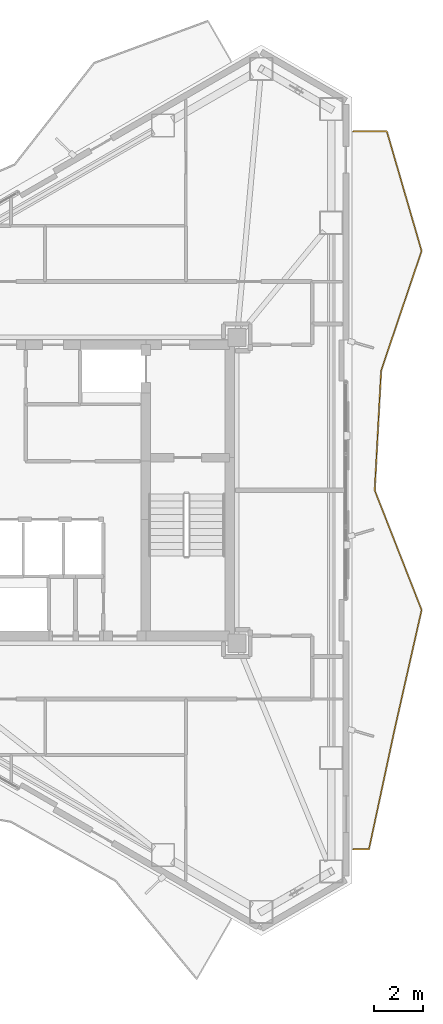
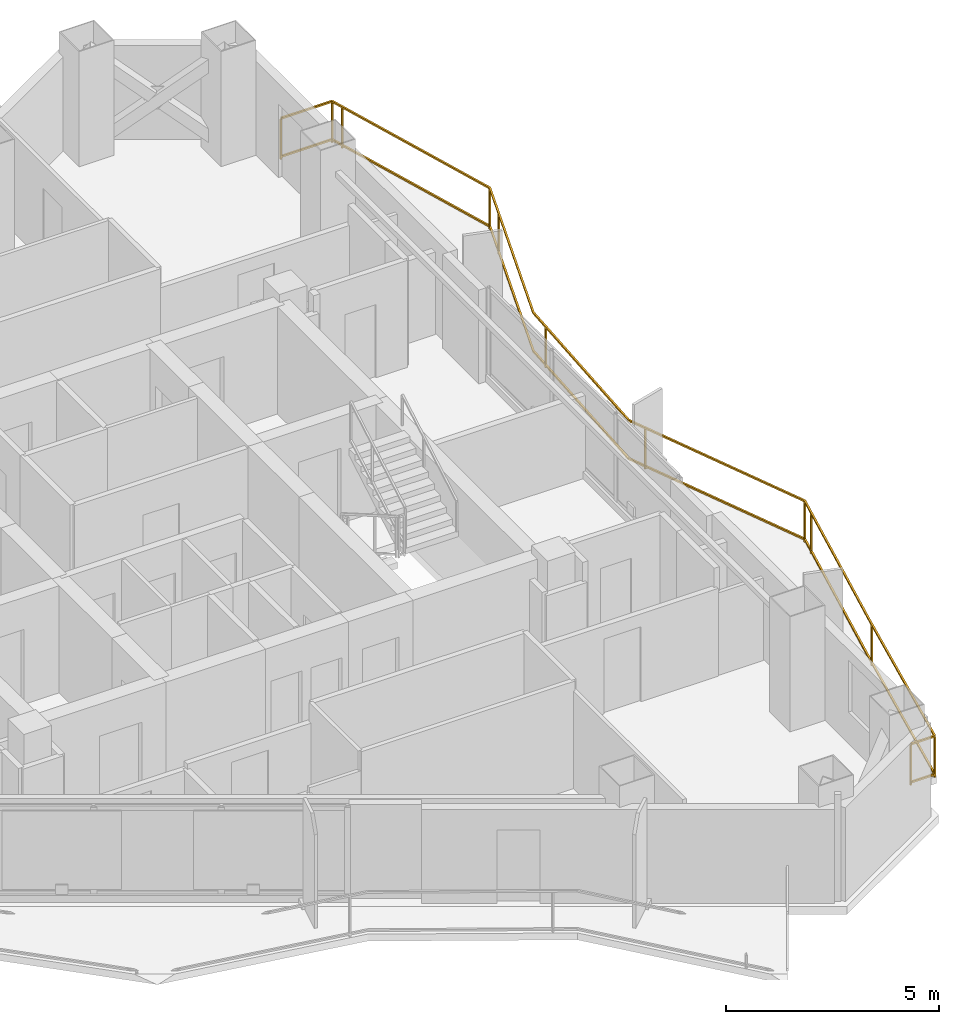
# One storey, part 22 of 22: 1 railing.
"""IFC4 building model written with IfcOpenShell, lengths in metres."""

from ifc_helpers import new_model, si_unit, direction, frame, origin, origin_2d, place, context, subcontext, project, spatial, rectangle, extrude, material, type_object, element, save


model = new_model("IFC4")

# Units and contexts
model_context = context("Model", 3, precision=1e-05, world=origin(), true_north=direction((0.0, 1.0)))
body_context = subcontext(model_context, "Body", "Model", "MODEL_VIEW")
ifc_project = project(units=[si_unit("LENGTHUNIT", "METRE"), si_unit("AREAUNIT", "SQUARE_METRE"), si_unit("VOLUMEUNIT", "CUBIC_METRE"), si_unit("PLANEANGLEUNIT", "RADIAN"), si_unit("MASSUNIT", "GRAM", prefix="KILO")], contexts=[model_context])

# Site, building, storey
site_placement = place(None, origin())
site = spatial("IfcSite", under=ifc_project, at=site_placement, CompositionType="ELEMENT")
building_placement = place(site_placement, origin())
building = spatial("IfcBuilding", under=site, at=building_placement, Name="Mersakhor Tower and Convention Hall", CompositionType="ELEMENT")
storey_placement = place(building_placement, frame((0.0, 0.0, 192.0)))
storey = spatial("IfcBuildingStorey", under=building, at=storey_placement, Name="L53", CompositionType="ELEMENT", Elevation=192.0)

# Railing
ifc_material = material(Name="Powder-coated galvanised steel and laminated glass balustrade", Category="steel")
railing_type = type_object("IfcRailingType", Name="RL-BAL-1200", PredefinedType="BALUSTRADE", material=ifc_material)
railing_placement = place(storey_placement, frame((40.888427734375, 11.957275390625, 0.0)))
element("IfcRailing", 1, at=railing_placement, inside=storey, type_object=railing_type, Name="L53 Sinusoidal Balcony Balustrade F2", PredefinedType="BALUSTRADE", context=body_context, shape_type="SweptSolid", body=[
    extrude(rectangle(XDim=0.048095703125, YDim=0.048095703125, at=origin_2d()), frame((0.0, 0.0, 1.17578125), z_axis=(1.0, 0.0, 0.0), x_axis=(0.0, 1.0, 0.0)), (0.0, 0.0, 1.0), 0.64990234375),
    extrude(rectangle(XDim=0.048095703125, YDim=0.048095703125, at=origin_2d()), frame((0.0, 0.0, 0.080078125), z_axis=(1.0, 0.0, 0.0), x_axis=(0.0, 1.0, 0.0)), (0.0, 0.0, 1.0), 0.64990234375),
    extrude(rectangle(XDim=0.048095703125, YDim=0.048095703125, at=origin_2d()), frame((0.64990234375, 0.0, 1.17578125), z_axis=(0.209393525591, 0.977831453493, 0.0), x_axis=(-0.977831453493, 0.209393525591, 0.0)), (0.0, 0.0, 1.0), 5.042724609375),
    extrude(rectangle(XDim=0.048095703125, YDim=0.048095703125, at=origin_2d()), frame((0.64990234375, 0.0, 0.080078125), z_axis=(0.209393525591, 0.977831453493, 0.0), x_axis=(-0.977831453493, 0.209393525591, 0.0)), (0.0, 0.0, 1.0), 5.042724609375),
    extrude(rectangle(XDim=0.048095703125, YDim=0.048095703125, at=origin_2d()), frame((1.705810546875, 4.930908203125, 1.17578125), z_axis=(0.220416511098, 0.975405844577, 0.0), x_axis=(-0.975405844577, 0.220416511098, 0.0)), (0.0, 0.0, 1.0), 5.05517578125),
    extrude(rectangle(XDim=0.048095703125, YDim=0.048095703125, at=origin_2d()), frame((1.705810546875, 4.930908203125, 0.080078125), z_axis=(0.220416511098, 0.975405844577, 0.0), x_axis=(-0.975405844577, 0.220416511098, 0.0)), (0.0, 0.0, 1.0), 5.05517578125),
    extrude(rectangle(XDim=0.048095703125, YDim=0.048095703125, at=origin_2d()), frame((2.820068359375, 9.86181640625, 1.17578125), z_axis=(-0.364872078921, 0.931057659882, 0.0), x_axis=(-0.931057659882, -0.364872078921, 0.0)), (0.0, 0.0, 1.0), 5.296142578125),
    extrude(rectangle(XDim=0.048095703125, YDim=0.048095703125, at=origin_2d()), frame((2.820068359375, 9.86181640625, 0.080078125), z_axis=(-0.364872078921, 0.931057659882, 0.0), x_axis=(-0.931057659882, -0.364872078921, 0.0)), (0.0, 0.0, 1.0), 5.296142578125),
    extrude(rectangle(XDim=0.048095703125, YDim=0.048095703125, at=origin_2d()), frame((0.8876953125, 14.792724609375, 1.17578125), z_axis=(0.053643499713, 0.998560150887, 0.0), x_axis=(-0.998560150887, 0.053643499713, 0.0)), (0.0, 0.0, 1.0), 4.93798828125),
    extrude(rectangle(XDim=0.048095703125, YDim=0.048095703125, at=origin_2d()), frame((0.8876953125, 14.792724609375, 0.080078125), z_axis=(0.053643499713, 0.998560150887, 0.0), x_axis=(-0.998560150887, 0.053643499713, 0.0)), (0.0, 0.0, 1.0), 4.93798828125),
    extrude(rectangle(XDim=0.048095703125, YDim=0.048095703125, at=origin_2d()), frame((1.152587890625, 19.7236328125, 1.17578125), z_axis=(0.320347554416, 0.947300081484, 0.0), x_axis=(-0.947300081484, 0.320347554416, 0.0)), (0.0, 0.0, 1.0), 5.205322265625),
    extrude(rectangle(XDim=0.048095703125, YDim=0.048095703125, at=origin_2d()), frame((1.152587890625, 19.7236328125, 0.080078125), z_axis=(0.320347554416, 0.947300081484, 0.0), x_axis=(-0.947300081484, 0.320347554416, 0.0)), (0.0, 0.0, 1.0), 5.205322265625),
    extrude(rectangle(XDim=0.048095703125, YDim=0.048095703125, at=origin_2d()), frame((2.820068359375, 24.654541015625, 1.17578125), z_axis=(-0.279132677438, 0.960252544067, 0.0), x_axis=(-0.960252544067, -0.279132677438, 0.0)), (0.0, 0.0, 1.0), 5.135009765625),
    extrude(rectangle(XDim=0.048095703125, YDim=0.048095703125, at=origin_2d()), frame((2.820068359375, 24.654541015625, 0.080078125), z_axis=(-0.279132677438, 0.960252544067, 0.0), x_axis=(-0.960252544067, -0.279132677438, 0.0)), (0.0, 0.0, 1.0), 5.135009765625),
    extrude(rectangle(XDim=0.048095703125, YDim=0.048095703125, at=origin_2d()), frame((1.38671875, 29.58544921875, 1.17578125), z_axis=(-1.0, 0.0, 0.0), x_axis=(0.0, -1.0, 0.0)), (0.0, 0.0, 1.0), 1.38671875),
    extrude(rectangle(XDim=0.048095703125, YDim=0.048095703125, at=origin_2d()), frame((1.38671875, 29.58544921875, 0.080078125), z_axis=(-1.0, 0.0, 0.0), x_axis=(0.0, -1.0, 0.0)), (0.0, 0.0, 1.0), 1.38671875),
    extrude(rectangle(XDim=0.0419921875, YDim=0.0419921875, at=origin_2d()), origin(), (0.0, 0.0, 1.0), 1.15185546875),
    extrude(rectangle(XDim=0.0419921875, YDim=0.0419921875, at=origin_2d()), frame((0.64990234375, 0.0, 0.0)), (0.0, 0.0, 1.0), 1.15185546875),
    extrude(rectangle(XDim=0.0419921875, YDim=0.0419921875, at=origin_2d()), frame((1.655029296875, 4.693603515625, 0.0)), (0.0, 0.0, 1.0), 1.15185546875),
    extrude(rectangle(XDim=0.0419921875, YDim=0.0419921875, at=origin_2d()), frame((2.710205078125, 9.376220703125, 0.0)), (0.0, 0.0, 1.0), 1.15185546875),
    extrude(rectangle(XDim=0.0419921875, YDim=0.0419921875, at=origin_2d()), frame((2.820068359375, 9.86181640625, 0.0)), (0.0, 0.0, 1.0), 1.15185546875),
    extrude(rectangle(XDim=0.0419921875, YDim=0.0419921875, at=origin_2d()), frame((1.068603515625, 14.330810546875, 0.0)), (0.0, 0.0, 1.0), 1.15185546875),
    extrude(rectangle(XDim=0.0419921875, YDim=0.0419921875, at=origin_2d()), frame((1.11865234375, 19.090576171875, 0.0)), (0.0, 0.0, 1.0), 1.15185546875),
    extrude(rectangle(XDim=0.0419921875, YDim=0.0419921875, at=origin_2d()), frame((2.487060546875, 23.669921875, 0.0)), (0.0, 0.0, 1.0), 1.15185546875),
    extrude(rectangle(XDim=0.0419921875, YDim=0.0419921875, at=origin_2d()), frame((2.820068359375, 24.654541015625, 0.0)), (0.0, 0.0, 1.0), 1.15185546875),
    extrude(rectangle(XDim=0.0419921875, YDim=0.0419921875, at=origin_2d()), frame((1.480224609375, 29.263671875, 0.0)), (0.0, 0.0, 1.0), 1.15185546875),
    extrude(rectangle(XDim=0.0419921875, YDim=0.0419921875, at=origin_2d()), frame((1.38671875, 29.58544921875, 0.0)), (0.0, 0.0, 1.0), 1.15185546875),
    extrude(rectangle(XDim=0.0419921875, YDim=0.0419921875, at=origin_2d()), frame((0.0, 29.58544921875, 0.0)), (0.0, 0.0, 1.0), 1.15185546875),
])

save(model, "model.ifc")
